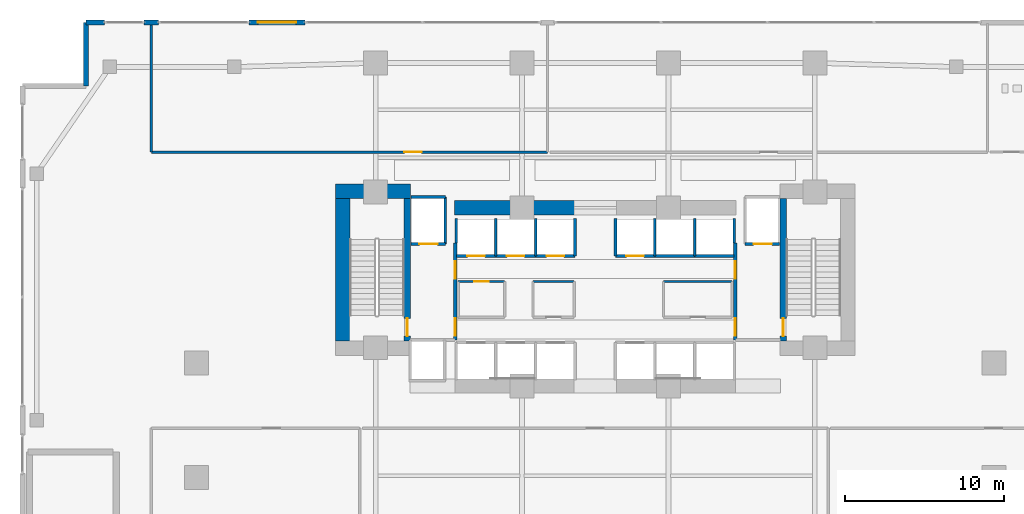
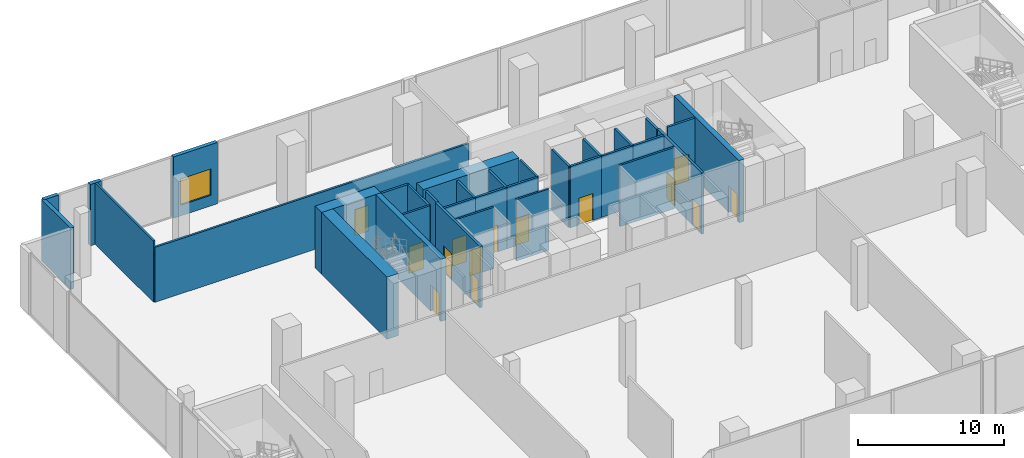
# One storey, part 24 of 30: 34 walls, 14 doors, 1 window, 15 openings.
"""IFC4 building model written with IfcOpenShell, lengths in metres."""

from ifc_helpers import new_model, si_unit, direction, frame, frame_2d, origin, place, context, subcontext, project, spatial, rectangle, extrude, material, layer, layer_set, type_object, element, fill, save


model = new_model("IFC4")

# Units and contexts
model_context = context("Model", 3, precision=1e-05, world=origin(), true_north=direction((0.0, 1.0)))
body_context = subcontext(model_context, "Body", "Model", "MODEL_VIEW")
ifc_project = project(units=[si_unit("LENGTHUNIT", "METRE"), si_unit("AREAUNIT", "SQUARE_METRE"), si_unit("VOLUMEUNIT", "CUBIC_METRE"), si_unit("PLANEANGLEUNIT", "RADIAN"), si_unit("MASSUNIT", "GRAM", prefix="KILO")], contexts=[model_context])

# Site, building, storey
site_placement = place(None, origin())
site = spatial("IfcSite", under=ifc_project, at=site_placement, CompositionType="ELEMENT")
building_placement = place(site_placement, origin())
building = spatial("IfcBuilding", under=site, at=building_placement, Name="Zuhayl Quay Hotel", CompositionType="ELEMENT")
storey_placement = place(building_placement, frame((0.0, 0.0, 6.0)))
storey = spatial("IfcBuildingStorey", under=building, at=storey_placement, Name="L01", CompositionType="ELEMENT", Elevation=6.0)

# Walls
ifc_material_1 = material(Name="Concrete C70/85", Category="concrete")
ifc_layer_1 = layer(ifc_material_1, 0.89990234375, Name="Concrete C70/85", Category="concrete")
ifc_layer_set_1 = layer_set([ifc_layer_1], Name="Concrete C70/85")
wall_type_1 = type_object("IfcWallType", Name="WL_CORE_900", PredefinedType="SHEAR", material=ifc_layer_set_1)
wall_1_placement = place(storey_placement, frame((-16.31005859375, 14.3798828125, 0.0), z_axis=(0.0, 0.0, 1.0), x_axis=(1.0, 0.0, 0.0)))
element("IfcWall", 1, at=wall_1_placement, inside=storey, type_object=wall_type_1, Name="L01 Core Shear Wall CW_NW", PredefinedType="SHEAR", context=body_context, shape_type="SweptSolid", body=[
    extrude(rectangle(XDim=4.7099609375, YDim=0.89990234375, at=frame_2d((2.35498046875, 0.0))), origin(), (0.0, 0.0, 1.0), 5.2099609375),
])
wall_2_placement = place(storey_placement, frame((-15.860107421875, 4.969970703125, 0.0), z_axis=(0.0, 0.0, 1.0), x_axis=(0.0, 1.0, 0.0)))
element("IfcWall", 2, at=wall_2_placement, inside=storey, type_object=wall_type_1, Name="L01 Core Shear Wall CW_W", PredefinedType="SHEAR", context=body_context, shape_type="SweptSolid", body=[
    extrude(rectangle(XDim=8.9599609375, YDim=0.89990234375, at=frame_2d((4.47998046875, 0.0))), origin(), (0.0, 0.0, 1.0), 5.2099609375),
])
wall_3_placement = place(storey_placement, frame((-8.85009765625, 13.35009765625, 0.0), z_axis=(0.0, 0.0, 1.0), x_axis=(1.0, 0.0, 0.0)))
element("IfcWall", 3, at=wall_3_placement, inside=storey, type_object=wall_type_1, Name="L01 Core Shear Wall CW_NC_W", PredefinedType="SHEAR", context=body_context, shape_type="SweptSolid", body=[
    extrude(rectangle(XDim=7.60009765625, YDim=0.89990234375, at=frame_2d((3.800048828125, 0.0))), origin(), (0.0, 0.0, 1.0), 5.139892578125),
])
ifc_material_2 = material(Name="Precast concrete C45/55", Category="concrete")
ifc_layer_2 = layer(ifc_material_2, 0.300048828125, Name="Precast concrete C45/55", Category="concrete")
ifc_layer_set_2 = layer_set([ifc_layer_2], Name="Precast concrete C45/55")
wall_type_2 = type_object("IfcWallType", Name="WL_EXT_300", PredefinedType="STANDARD", material=ifc_layer_set_2)
wall_4_placement = place(storey_placement, frame((-32.0, 21.0, 0.0), z_axis=(0.0, 0.0, 1.0), x_axis=(0.0, 1.0, 0.0)))
element("IfcWall", 4, at=wall_4_placement, inside=storey, type_object=wall_type_2, Name="L01 Exterior Precast Wall ENV_L01_EW04", PredefinedType="STANDARD", context=body_context, shape_type="SweptSolid", body=[
    extrude(rectangle(XDim=4.0, YDim=0.300048828125, at=frame_2d((2.0, 0.0))), origin(), (0.0, 0.0, 1.0), 5.139892578125),
])
wall_5_placement = place(storey_placement, frame((-32.0, 25.0, 0.0), z_axis=(0.0, 0.0, 1.0), x_axis=(1.0, 0.0, 0.0)))
element("IfcWall", 5, at=wall_5_placement, inside=storey, type_object=wall_type_2, Name="L01 Exterior Precast Wall ENV_L01_E05_EW1", PredefinedType="STANDARD", context=body_context, shape_type="SweptSolid", body=[
    extrude(rectangle(XDim=1.14990234375, YDim=0.300048828125, at=frame_2d((0.574951171875, 0.0))), origin(), (0.0, 0.0, 1.0), 5.139892578125),
])
wall_6_placement = place(storey_placement, frame((-28.35009765625, 25.0, 0.0), z_axis=(0.0, 0.0, 1.0), x_axis=(1.0, 0.0, 0.0)))
element("IfcWall", 6, at=wall_6_placement, inside=storey, type_object=wall_type_2, Name="L01 Exterior Precast Wall ENV_L01_E05_EW2", PredefinedType="STANDARD", context=body_context, shape_type="SweptSolid", body=[
    extrude(rectangle(XDim=0.900146484375, YDim=0.300048828125, at=frame_2d((0.4501953125, 0.0))), origin(), (0.0, 0.0, 1.0), 5.139892578125),
])

# Wall, opening, window
wall_7_placement = place(storey_placement, frame((-21.75, 25.0, 0.0), z_axis=(0.0, 0.0, 1.0), x_axis=(1.0, 0.0, 0.0)))
wall_7 = element("IfcWall", 7, at=wall_7_placement, inside=storey, type_object=wall_type_2, Name="L01 Exterior Precast Wall ENV_L01_E05_EW3", PredefinedType="STANDARD", context=body_context, shape_type="SweptSolid", body=[
    extrude(rectangle(XDim=3.5, YDim=0.300048828125, at=frame_2d((1.75, 0.0))), origin(), (0.0, 0.0, 1.0), 5.139892578125),
])
opening_1_placement = place(wall_7_placement, frame((0.550048828125, 0.0, 0.89990234375)))
opening_1 = element("IfcOpeningElement", 8, at=opening_1_placement, cuts=wall_7, Name="Opening W02", PredefinedType="OPENING", context=body_context, shape_type="SweptSolid", body=[
    extrude(rectangle(XDim=2.39990234375, YDim=2.199951171875, at=frame_2d((1.199951171875, 1.10009765625))), frame((0.0, 0.159912109375, 0.0), z_axis=(0.0, -1.0, 0.0), x_axis=(1.0, 0.0, 0.0)), (0.0, 0.0, 1.0), 0.320068359375),
])
ifc_material_3 = material(Name="Low-E Insulated Clear Vision Glass", Category="glass")
window_type = type_object("IfcWindowType", Name="WN_POD_2400", PartitioningType="TRIPLE_PANEL_VERTICAL", PredefinedType="WINDOW", material=ifc_material_3)
window_placement = place(opening_1_placement, origin())
window = element("IfcWindow", 9, at=window_placement, inside=storey, type_object=window_type, Name="L01 Seaward Salon Vision Window", OverallHeight=2.199951171875, OverallWidth=2.39990234375, PartitioningType="SINGLE_PANEL", PredefinedType="WINDOW", context=body_context, shape_type="SweptSolid", body=[
    extrude(rectangle(XDim=2.39990234375, YDim=2.199951171875, at=frame_2d((1.199951171875, 1.10009765625))), frame((0.0, 0.030029296875, 0.0), z_axis=(0.0, -1.0, 0.0), x_axis=(1.0, 0.0, 0.0)), (0.0, 0.0, 1.0), 0.06005859375),
])
fill(opening_1, window)

# Wall, opening, door
ifc_material_4 = material(Name="Acoustic Gypsum Partition STC-58")
ifc_layer_3 = layer(ifc_material_4, 0.14990234375, Name="Acoustic Gypsum Partition STC-58")
ifc_layer_set_3 = layer_set([ifc_layer_3], Name="Acoustic Gypsum Partition STC-58")
wall_type_3 = type_object("IfcWallType", Name="WL_PART_150", PredefinedType="PARTITIONING", material=ifc_layer_set_3)
wall_8_placement = place(storey_placement, frame((-8.610107421875, 8.719970703125, 0.0), z_axis=(0.0, 0.0, 1.0), x_axis=(1.0, 0.0, 0.0)))
wall_8 = element("IfcWall", 10, at=wall_8_placement, inside=storey, type_object=wall_type_3, Name="L01 Partition IW_L01_CORE_HK_N", PredefinedType="PARTITIONING", context=body_context, shape_type="SweptSolid", body=[
    extrude(rectangle(XDim=2.920166015625, YDim=0.14990234375, at=frame_2d((1.4599609375, 0.0))), origin(), (0.0, 0.0, 1.0), 5.139892578125),
])
opening_2_placement = place(wall_8_placement, frame((1.010009765625, 0.0, 0.0)))
opening_2 = element("IfcOpeningElement", 11, at=opening_2_placement, cuts=wall_8, Name="Opening D06", PredefinedType="OPENING", context=body_context, shape_type="SweptSolid", body=[
    extrude(rectangle(XDim=0.89990234375, YDim=2.14990234375, at=frame_2d((0.449951171875, 1.074951171875))), frame((0.0, 0.0849609375, 0.0), z_axis=(0.0, -1.0, 0.0), x_axis=(1.0, 0.0, 0.0)), (0.0, 0.0, 1.0), 0.169921875),
])
ifc_material_5 = material(Name="Steel ASTM A992 Grade 50", Category="steel")
door_type_1 = type_object("IfcDoorType", Name="DR_INT_900", OperationType="NOTDEFINED", PredefinedType="DOOR", material=ifc_material_5)
door_1_placement = place(opening_2_placement, origin())
door_1 = element("IfcDoor", 12, at=door_1_placement, inside=storey, type_object=door_type_1, Name="L01 Core Housekeeping Store Door", OperationType="SINGLE_SWING_RIGHT", OverallHeight=2.14990234375, OverallWidth=0.89990234375, PredefinedType="DOOR", context=body_context, shape_type="SweptSolid", body=[
    extrude(rectangle(XDim=0.89990234375, YDim=2.14990234375, at=frame_2d((0.449951171875, 1.074951171875))), frame((0.0, 0.02490234375, 0.0), z_axis=(0.0, -1.0, 0.0), x_axis=(1.0, 0.0, 0.0)), (0.0, 0.0, 1.0), 0.050048828125),
])
fill(opening_2, door_1)

# Walls
wall_9_placement = place(storey_placement, frame((-3.909912109375, 8.719970703125, 0.0), z_axis=(0.0, 0.0, 1.0), x_axis=(1.0, 0.0, 0.0)))
element("IfcWall", 13, at=wall_9_placement, inside=storey, type_object=wall_type_3, Name="L01 Partition IW_L01_CORE_BC_N", PredefinedType="PARTITIONING", context=body_context, shape_type="SweptSolid", body=[
    extrude(rectangle(XDim=2.58984375, YDim=0.14990234375, at=frame_2d((1.294921875, 0.0))), origin(), (0.0, 0.0, 1.0), 5.139892578125),
])
wall_10_placement = place(storey_placement, frame((4.2900390625, 8.719970703125, 0.0), z_axis=(0.0, 0.0, 1.0), x_axis=(1.0, 0.0, 0.0)))
element("IfcWall", 14, at=wall_10_placement, inside=storey, type_object=wall_type_3, Name="L01 Partition IW_L01_CORE_VL_N", PredefinedType="PARTITIONING", context=body_context, shape_type="SweptSolid", body=[
    extrude(rectangle(XDim=4.320068359375, YDim=0.14990234375, at=frame_2d((2.16015625, 0.0))), origin(), (0.0, 0.0, 1.0), 5.139892578125),
])
wall_11_placement = place(storey_placement, frame((-27.89990234375, 16.85009765625, 0.0), z_axis=(0.0, 0.0, 1.0), x_axis=(0.0, 1.0, 0.0)))
element("IfcWall", 15, at=wall_11_placement, inside=storey, type_object=wall_type_3, Name="L01 Partition IW_L01_SPEC_REST_W", PredefinedType="PARTITIONING", context=body_context, shape_type="SweptSolid", body=[
    extrude(rectangle(XDim=8.08984375, YDim=0.14990234375, at=frame_2d((4.044921875, 0.0))), origin(), (0.0, 0.0, 1.0), 5.139892578125),
])

# Wall, opening, door
ifc_layer_4 = layer(ifc_material_4, 0.159912109375, Name="Acoustic Gypsum Partition STC-58")
ifc_layer_set_4 = layer_set([ifc_layer_4], Name="Acoustic Gypsum Partition STC-58")
wall_type_4 = type_object("IfcWallType", Name="WL_PART_CORR_160", PredefinedType="PARTITIONING", material=ifc_layer_set_4)
wall_12_placement = place(storey_placement, frame((-27.89990234375, 16.85009765625, 0.0), z_axis=(0.0, 0.0, 1.0), x_axis=(1.0, 0.0, 0.0)))
wall_12 = element("IfcWall", 16, at=wall_12_placement, inside=storey, type_object=wall_type_4, Name="L01 Partition IW_L01_SPEC_REST_S", PredefinedType="PARTITIONING", context=body_context, shape_type="SweptSolid", body=[
    extrude(rectangle(XDim=24.89990234375, YDim=0.159912109375, at=frame_2d((12.449951171875, 0.0))), origin(), (0.0, 0.0, 1.0), 4.60693359375),
])
opening_3_placement = place(wall_12_placement, frame((15.909912109375, 0.0, 0.0)))
opening_3 = element("IfcOpeningElement", 17, at=opening_3_placement, cuts=wall_12, Name="Opening D05A", PredefinedType="OPENING", context=body_context, shape_type="SweptSolid", body=[
    extrude(rectangle(XDim=1.080078125, YDim=2.179931640625, at=frame_2d((0.5400390625, 1.08984375))), frame((0.0, 0.08984375, 0.0), z_axis=(0.0, -1.0, 0.0), x_axis=(1.0, 0.0, 0.0)), (0.0, 0.0, 1.0), 0.179931640625),
])
ifc_material_6 = material(Name="Solid Walnut Acoustic Fire Door")
door_type_2 = type_object("IfcDoorType", Name="DR_INT_1100", OperationType="NOTDEFINED", PredefinedType="DOOR", material=ifc_material_6)
door_2_placement = place(opening_3_placement, origin())
door_2 = element("IfcDoor", 18, at=door_2_placement, inside=storey, type_object=door_type_2, Name="L01 Levantine Specialty Restaurant Door", OperationType="SINGLE_SWING_LEFT", OverallHeight=2.179931640625, OverallWidth=1.080078125, PredefinedType="DOOR", context=body_context, shape_type="SweptSolid", body=[
    extrude(rectangle(XDim=1.080078125, YDim=2.179931640625, at=frame_2d((0.5400390625, 1.08984375))), frame((0.0, 0.02490234375, 0.0), z_axis=(0.0, -1.0, 0.0), x_axis=(1.0, 0.0, 0.0)), (0.0, 0.0, 1.0), 0.050048828125),
])
fill(opening_3, door_2)

ifc_material_7 = material(Name="Gypsum Fireboard Assembly EI-90")
ifc_layer_5 = layer(ifc_material_7, 0.1650390625, Name="Gypsum Fireboard Assembly EI-90")
ifc_layer_set_5 = layer_set([ifc_layer_5], Name="Gypsum Fireboard Assembly EI-90")
wall_type_5 = type_object("IfcWallType", Name="WL_PART_SHAFT_160", PredefinedType="PARTITIONING", material=ifc_layer_set_5)
wall_13_placement = place(storey_placement, frame((-11.580078125, 11.070068359375, 0.0), z_axis=(0.0, 0.0, 1.0), x_axis=(1.0, 0.0, 0.0)))
wall_13 = element("IfcWall", 19, at=wall_13_placement, inside=storey, type_object=wall_type_5, Name="L01 Partition IW_L01_SH_FL1_F", PredefinedType="PARTITIONING", context=body_context, shape_type="SweptSolid", body=[
    extrude(rectangle(XDim=2.16015625, YDim=0.1650390625, at=frame_2d((1.080078125, 0.0))), origin(), (0.0, 0.0, 1.0), 5.139892578125),
])
opening_4_placement = place(wall_13_placement, frame((0.530029296875, 0.0, 0.0)))
opening_4 = element("IfcOpeningElement", 20, at=opening_4_placement, cuts=wall_13, Name="Opening LD2", PredefinedType="OPENING", context=body_context, shape_type="SweptSolid", body=[
    extrude(rectangle(XDim=1.14990234375, YDim=2.25, at=frame_2d((0.574951171875, 1.125))), frame((0.0, 0.092529296875, 0.0), z_axis=(0.0, -1.0, 0.0), x_axis=(1.0, 0.0, 0.0)), (0.0, 0.0, 1.0), 0.18505859375),
])
ifc_material_8 = material(Name="Brushed Stainless Steel", Category="steel")
door_type_3 = type_object("IfcDoorType", Name="DR_LIFT_FF_1100", OperationType="SLIDING_TO_LEFT", PredefinedType="DOOR", material=ifc_material_8)
door_3_placement = place(opening_4_placement, origin())
door_3 = element("IfcDoor", 21, at=door_3_placement, inside=storey, type_object=door_type_3, Name="L01 Lift FL1 Sliding Landing Door", OperationType="SLIDING_TO_LEFT", OverallHeight=2.25, OverallWidth=1.14990234375, PredefinedType="DOOR", context=body_context, shape_type="SweptSolid", body=[
    extrude(rectangle(XDim=1.14990234375, YDim=2.25, at=frame_2d((0.574951171875, 1.125))), frame((0.0, 0.02490234375, 0.0), z_axis=(0.0, -1.0, 0.0), x_axis=(1.0, 0.0, 0.0)), (0.0, 0.0, 1.0), 0.050048828125),
])
fill(opening_4, door_3)

wall_14_placement = place(storey_placement, frame((9.419921875, 11.070068359375, 0.0), z_axis=(0.0, 0.0, 1.0), x_axis=(1.0, 0.0, 0.0)))
wall_14 = element("IfcWall", 22, at=wall_14_placement, inside=storey, type_object=wall_type_5, Name="L01 Partition IW_L01_SH_FL2_F", PredefinedType="PARTITIONING", context=body_context, shape_type="SweptSolid", body=[
    extrude(rectangle(XDim=2.16015625, YDim=0.1650390625, at=frame_2d((1.080078125, 0.0))), origin(), (0.0, 0.0, 1.0), 5.139892578125),
])
opening_5_placement = place(wall_14_placement, frame((0.530029296875, 0.0, 0.0)))
opening_5 = element("IfcOpeningElement", 23, at=opening_5_placement, cuts=wall_14, Name="Opening LD2", PredefinedType="OPENING", context=body_context, shape_type="SweptSolid", body=[
    extrude(rectangle(XDim=1.14990234375, YDim=2.25, at=frame_2d((0.574951171875, 1.125))), frame((0.0, 0.092529296875, 0.0), z_axis=(0.0, -1.0, 0.0), x_axis=(1.0, 0.0, 0.0)), (0.0, 0.0, 1.0), 0.18505859375),
])
door_4_placement = place(opening_5_placement, origin())
door_4 = element("IfcDoor", 24, at=door_4_placement, inside=storey, type_object=door_type_3, Name="L01 Lift FL2 Sliding Landing Door", OperationType="SLIDING_TO_LEFT", OverallHeight=2.25, OverallWidth=1.14990234375, PredefinedType="DOOR", context=body_context, shape_type="SweptSolid", body=[
    extrude(rectangle(XDim=1.14990234375, YDim=2.25, at=frame_2d((0.574951171875, 1.125))), frame((0.0, 0.02490234375, 0.0), z_axis=(0.0, -1.0, 0.0), x_axis=(1.0, 0.0, 0.0)), (0.0, 0.0, 1.0), 0.050048828125),
])
fill(opening_5, door_4)

wall_15_placement = place(storey_placement, frame((-8.72998046875, 10.320068359375, 0.0), z_axis=(0.0, 0.0, 1.0), x_axis=(1.0, 0.0, 0.0)))
wall_15 = element("IfcWall", 25, at=wall_15_placement, inside=storey, type_object=wall_type_5, Name="L01 Partition IW_L01_SH_LP3_F", PredefinedType="PARTITIONING", context=body_context, shape_type="SweptSolid", body=[
    extrude(rectangle(XDim=2.47998046875, YDim=0.1650390625, at=frame_2d((1.239990234375, 0.0))), origin(), (0.0, 0.0, 1.0), 5.139892578125),
])
opening_6_placement = place(wall_15_placement, frame((0.68994140625, 0.0, 0.0)))
opening_6 = element("IfcOpeningElement", 26, at=opening_6_placement, cuts=wall_15, Name="Opening LD1", PredefinedType="OPENING", context=body_context, shape_type="SweptSolid", body=[
    extrude(rectangle(XDim=1.10009765625, YDim=2.25, at=frame_2d((0.550048828125, 1.125))), frame((0.0, 0.092529296875, 0.0), z_axis=(0.0, -1.0, 0.0), x_axis=(1.0, 0.0, 0.0)), (0.0, 0.0, 1.0), 0.18505859375),
])
door_type_4 = type_object("IfcDoorType", Name="DR_LIFT_PASS_1100", OperationType="SLIDING_TO_LEFT", PredefinedType="DOOR", material=ifc_material_8)
door_5_placement = place(opening_6_placement, origin())
door_5 = element("IfcDoor", 27, at=door_5_placement, inside=storey, type_object=door_type_4, Name="L01 Lift LP3 Sliding Landing Door", OperationType="SLIDING_TO_LEFT", OverallHeight=2.25, OverallWidth=1.10009765625, PredefinedType="DOOR", context=body_context, shape_type="SweptSolid", body=[
    extrude(rectangle(XDim=1.10009765625, YDim=2.25, at=frame_2d((0.550048828125, 1.125))), frame((0.0, 0.02490234375, 0.0), z_axis=(0.0, -1.0, 0.0), x_axis=(1.0, 0.0, 0.0)), (0.0, 0.0, 1.0), 0.050048828125),
])
fill(opening_6, door_5)

wall_16_placement = place(storey_placement, frame((-6.25, 10.320068359375, 0.0), z_axis=(0.0, 0.0, 1.0), x_axis=(1.0, 0.0, 0.0)))
wall_16 = element("IfcWall", 28, at=wall_16_placement, inside=storey, type_object=wall_type_5, Name="L01 Partition IW_L01_SH_LP4_F", PredefinedType="PARTITIONING", context=body_context, shape_type="SweptSolid", body=[
    extrude(rectangle(XDim=2.5, YDim=0.1650390625, at=frame_2d((1.25, 0.0))), origin(), (0.0, 0.0, 1.0), 5.139892578125),
])
opening_7_placement = place(wall_16_placement, frame((0.699951171875, 0.0, 0.0)))
opening_7 = element("IfcOpeningElement", 29, at=opening_7_placement, cuts=wall_16, Name="Opening LD1", PredefinedType="OPENING", context=body_context, shape_type="SweptSolid", body=[
    extrude(rectangle(XDim=1.10009765625, YDim=2.25, at=frame_2d((0.550048828125, 1.125))), frame((0.0, 0.092529296875, 0.0), z_axis=(0.0, -1.0, 0.0), x_axis=(1.0, 0.0, 0.0)), (0.0, 0.0, 1.0), 0.18505859375),
])
door_6_placement = place(opening_7_placement, origin())
door_6 = element("IfcDoor", 30, at=door_6_placement, inside=storey, type_object=door_type_4, Name="L01 Lift LP4 Sliding Landing Door", OperationType="SLIDING_TO_LEFT", OverallHeight=2.25, OverallWidth=1.10009765625, PredefinedType="DOOR", context=body_context, shape_type="SweptSolid", body=[
    extrude(rectangle(XDim=1.10009765625, YDim=2.25, at=frame_2d((0.550048828125, 1.125))), frame((0.0, 0.02490234375, 0.0), z_axis=(0.0, -1.0, 0.0), x_axis=(1.0, 0.0, 0.0)), (0.0, 0.0, 1.0), 0.050048828125),
])
fill(opening_7, door_6)

wall_17_placement = place(storey_placement, frame((-3.75, 10.320068359375, 0.0), z_axis=(0.0, 0.0, 1.0), x_axis=(1.0, 0.0, 0.0)))
wall_17 = element("IfcWall", 31, at=wall_17_placement, inside=storey, type_object=wall_type_5, Name="L01 Partition IW_L01_SH_MP3_F", PredefinedType="PARTITIONING", context=body_context, shape_type="SweptSolid", body=[
    extrude(rectangle(XDim=2.47998046875, YDim=0.1650390625, at=frame_2d((1.239990234375, 0.0))), origin(), (0.0, 0.0, 1.0), 5.139892578125),
])
opening_8_placement = place(wall_17_placement, frame((0.68994140625, 0.0, 0.0)))
opening_8 = element("IfcOpeningElement", 32, at=opening_8_placement, cuts=wall_17, Name="Opening LD1", PredefinedType="OPENING", context=body_context, shape_type="SweptSolid", body=[
    extrude(rectangle(XDim=1.10009765625, YDim=2.25, at=frame_2d((0.550048828125, 1.125))), frame((0.0, 0.092529296875, 0.0), z_axis=(0.0, -1.0, 0.0), x_axis=(1.0, 0.0, 0.0)), (0.0, 0.0, 1.0), 0.18505859375),
])
door_7_placement = place(opening_8_placement, origin())
door_7 = element("IfcDoor", 33, at=door_7_placement, inside=storey, type_object=door_type_4, Name="L01 Lift MP3 Sliding Landing Door", OperationType="SLIDING_TO_LEFT", OverallHeight=2.25, OverallWidth=1.10009765625, PredefinedType="DOOR", context=body_context, shape_type="SweptSolid", body=[
    extrude(rectangle(XDim=1.10009765625, YDim=2.25, at=frame_2d((0.550048828125, 1.125))), frame((0.0, 0.02490234375, 0.0), z_axis=(0.0, -1.0, 0.0), x_axis=(1.0, 0.0, 0.0)), (0.0, 0.0, 1.0), 0.050048828125),
])
fill(opening_8, door_7)

wall_18_placement = place(storey_placement, frame((1.27001953125, 10.320068359375, 0.0), z_axis=(0.0, 0.0, 1.0), x_axis=(1.0, 0.0, 0.0)))
wall_18 = element("IfcWall", 34, at=wall_18_placement, inside=storey, type_object=wall_type_5, Name="L01 Partition IW_L01_SH_MP4_F", PredefinedType="PARTITIONING", context=body_context, shape_type="SweptSolid", body=[
    extrude(rectangle(XDim=2.47998046875, YDim=0.1650390625, at=frame_2d((1.239990234375, 0.0))), origin(), (0.0, 0.0, 1.0), 5.139892578125),
])
opening_9_placement = place(wall_18_placement, frame((0.68994140625, 0.0, 0.0)))
opening_9 = element("IfcOpeningElement", 35, at=opening_9_placement, cuts=wall_18, Name="Opening LD1", PredefinedType="OPENING", context=body_context, shape_type="SweptSolid", body=[
    extrude(rectangle(XDim=1.10009765625, YDim=2.25, at=frame_2d((0.550048828125, 1.125))), frame((0.0, 0.092529296875, 0.0), z_axis=(0.0, -1.0, 0.0), x_axis=(1.0, 0.0, 0.0)), (0.0, 0.0, 1.0), 0.18505859375),
])
door_8_placement = place(opening_9_placement, origin())
door_8 = element("IfcDoor", 36, at=door_8_placement, inside=storey, type_object=door_type_4, Name="L01 Lift MP4 Sliding Landing Door", OperationType="SLIDING_TO_LEFT", OverallHeight=2.25, OverallWidth=1.10009765625, PredefinedType="DOOR", context=body_context, shape_type="SweptSolid", body=[
    extrude(rectangle(XDim=1.10009765625, YDim=2.25, at=frame_2d((0.550048828125, 1.125))), frame((0.0, 0.02490234375, 0.0), z_axis=(0.0, -1.0, 0.0), x_axis=(1.0, 0.0, 0.0)), (0.0, 0.0, 1.0), 0.050048828125),
])
fill(opening_9, door_8)

# Walls
wall_19_placement = place(storey_placement, frame((-9.419921875, 11.070068359375, 0.0), z_axis=(0.0, 0.0, 1.0), x_axis=(0.0, 1.0, 0.0)))
element("IfcWall", 37, at=wall_19_placement, inside=storey, type_object=wall_type_5, Name="L01 Partition IW_L01_SH_FL1_E", PredefinedType="PARTITIONING", context=body_context, shape_type="SweptSolid", body=[
    extrude(rectangle(XDim=2.9599609375, YDim=0.1650390625, at=frame_2d((1.47998046875, 0.0))), origin(), (0.0, 0.0, 1.0), 5.139892578125),
])
wall_20_placement = place(storey_placement, frame((-11.580078125, 14.030029296875, 0.0), z_axis=(0.0, 0.0, 1.0), x_axis=(1.0, 0.0, 0.0)))
element("IfcWall", 38, at=wall_20_placement, inside=storey, type_object=wall_type_5, Name="L01 Partition IW_L01_SH_FL1_B", PredefinedType="PARTITIONING", context=body_context, shape_type="SweptSolid", body=[
    extrude(rectangle(XDim=2.16015625, YDim=0.1650390625, at=frame_2d((1.080078125, 0.0))), origin(), (0.0, 0.0, 1.0), 5.139892578125),
])
wall_21_placement = place(storey_placement, frame((-8.72998046875, 11.14990234375, 0.0), z_axis=(0.0, 0.0, 1.0), x_axis=(0.0, 1.0, 0.0)))
element("IfcWall", 39, at=wall_21_placement, inside=storey, type_object=wall_type_5, Name="L01 Partition IW_L01_SH_LP3_W", PredefinedType="PARTITIONING", context=body_context, shape_type="SweptSolid", body=[
    extrude(rectangle(XDim=1.530029296875, YDim=0.1650390625, at=frame_2d((0.76513671875, 0.0))), origin(), (0.0, 0.0, 1.0), 5.139892578125),
])
for number, where, z_axis, x_axis, name in (
    (40, (-6.25, 10.320068359375, 0.0), (0.0, 0.0, 1.0), (0.0, 1.0, 0.0), "L01 Partition IW_L01_SH_LP3_E"),
    (41, (-3.75, 10.320068359375, 0.0), (0.0, 0.0, 1.0), (0.0, 1.0, 0.0), "L01 Partition IW_L01_SH_LP4_E"),
    (42, (-1.27001953125, 10.320068359375, 0.0), (0.0, 0.0, 1.0), (0.0, 1.0, 0.0), "L01 Partition IW_L01_SH_MP3_E"),
    (43, (1.27001953125, 10.320068359375, 0.0), (0.0, 0.0, 1.0), (0.0, 1.0, 0.0), "L01 Partition IW_L01_SH_MP4_W"),
    (44, (3.75, 10.320068359375, 0.0), (0.0, 0.0, 1.0), (0.0, 1.0, 0.0), "L01 Partition IW_L01_SH_MP4_E"),
):
    element("IfcWall", number, at=place(storey_placement, frame(where, z_axis=z_axis, x_axis=x_axis)), inside=storey, type_object=wall_type_5, Name=name, PredefinedType="PARTITIONING", context=body_context, shape_type="SweptSolid", body=[
        extrude(rectangle(XDim=2.35986328125, YDim=0.1650390625, at=frame_2d((1.179931640625, 0.0))), origin(), (0.0, 0.0, 1.0), 5.139892578125),
    ])
wall_22_placement = place(storey_placement, frame((3.75, 10.320068359375, 0.0), z_axis=(0.0, 0.0, 1.0), x_axis=(1.0, 0.0, 0.0)))
element("IfcWall", 45, at=wall_22_placement, inside=storey, type_object=wall_type_5, Name="L01 Partition IW_L01_SH_HP3_F", PredefinedType="PARTITIONING", context=body_context, shape_type="SweptSolid", body=[
    extrude(rectangle(XDim=2.5, YDim=0.1650390625, at=frame_2d((1.25, 0.0))), origin(), (0.0, 0.0, 1.0), 5.139892578125),
])
wall_23_placement = place(storey_placement, frame((6.25, 10.320068359375, 0.0), z_axis=(0.0, 0.0, 1.0), x_axis=(0.0, 1.0, 0.0)))
element("IfcWall", 46, at=wall_23_placement, inside=storey, type_object=wall_type_5, Name="L01 Partition IW_L01_SH_HP3_E", PredefinedType="PARTITIONING", context=body_context, shape_type="SweptSolid", body=[
    extrude(rectangle(XDim=2.35986328125, YDim=0.1650390625, at=frame_2d((1.179931640625, 0.0))), origin(), (0.0, 0.0, 1.0), 5.139892578125),
])
wall_24_placement = place(storey_placement, frame((6.25, 10.320068359375, 0.0), z_axis=(0.0, 0.0, 1.0), x_axis=(1.0, 0.0, 0.0)))
element("IfcWall", 47, at=wall_24_placement, inside=storey, type_object=wall_type_5, Name="L01 Partition IW_L01_SH_HP4_F", PredefinedType="PARTITIONING", context=body_context, shape_type="SweptSolid", body=[
    extrude(rectangle(XDim=2.47998046875, YDim=0.1650390625, at=frame_2d((1.239990234375, 0.0))), origin(), (0.0, 0.0, 1.0), 5.139892578125),
])
wall_25_placement = place(storey_placement, frame((8.72998046875, 11.14990234375, 0.0), z_axis=(0.0, 0.0, 1.0), x_axis=(0.0, 1.0, 0.0)))
element("IfcWall", 48, at=wall_25_placement, inside=storey, type_object=wall_type_5, Name="L01 Partition IW_L01_SH_HP4_E", PredefinedType="PARTITIONING", context=body_context, shape_type="SweptSolid", body=[
    extrude(rectangle(XDim=1.530029296875, YDim=0.1650390625, at=frame_2d((0.76513671875, 0.0))), origin(), (0.0, 0.0, 1.0), 5.139892578125),
])

# Wall, openings, doors
ifc_material_9 = material(Name="Gypsum Fireboard Assembly EI-120")
ifc_layer_6 = layer(ifc_material_9, 0.199951171875, Name="Gypsum Fireboard Assembly EI-120")
ifc_layer_set_6 = layer_set([ifc_layer_6], Name="Gypsum Fireboard Assembly EI-120")
wall_type_6 = type_object("IfcWallType", Name="WL_PART_SHAFT_200", PredefinedType="PARTITIONING", material=ifc_layer_set_6)
wall_26_placement = place(storey_placement, frame((-8.800048828125, 5.050048828125, 0.0), z_axis=(0.0, 0.0, 1.0), x_axis=(0.0, 1.0, 0.0)))
wall_26 = element("IfcWall", 49, at=wall_26_placement, inside=storey, type_object=wall_type_6, Name="L01 Partition IW_L01_FSAE_W_E", PredefinedType="PARTITIONING", context=body_context, shape_type="SweptSolid", body=[
    extrude(rectangle(XDim=6.099853515625, YDim=0.199951171875, at=frame_2d((3.0498046875, 0.0))), origin(), (0.0, 0.0, 1.0), 5.139892578125),
])
opening_10_placement = place(wall_26_placement, frame((0.25, 0.0, 0.0)))
opening_10 = element("IfcOpeningElement", 50, at=opening_10_placement, cuts=wall_26, Name="Opening D02", PredefinedType="OPENING", context=body_context, shape_type="SweptSolid", body=[
    extrude(rectangle(XDim=1.10009765625, YDim=2.199951171875, at=frame_2d((0.550048828125, 1.10009765625))), frame((0.0, 0.10986328125, 0.0), z_axis=(0.0, -1.0, 0.0), x_axis=(1.0, 0.0, 0.0)), (0.0, 0.0, 1.0), 0.219970703125),
])
opening_11_placement = place(wall_26_placement, frame((3.85009765625, 0.0, 0.0)))
opening_11 = element("IfcOpeningElement", 51, at=opening_11_placement, cuts=wall_26, Name="Opening D02", PredefinedType="OPENING", context=body_context, shape_type="SweptSolid", body=[
    extrude(rectangle(XDim=1.10009765625, YDim=2.199951171875, at=frame_2d((0.550048828125, 1.10009765625))), frame((0.0, 0.10986328125, 0.0), z_axis=(0.0, -1.0, 0.0), x_axis=(1.0, 0.0, 0.0)), (0.0, 0.0, 1.0), 0.219970703125),
])
door_type_5 = type_object("IfcDoorType", Name="DR_FIRE_90_1100", OperationType="NOTDEFINED", PredefinedType="DOOR", material=ifc_material_5)
door_9_placement = place(opening_10_placement, origin())
door_9 = element("IfcDoor", 52, at=door_9_placement, inside=storey, type_object=door_type_5, Name="L01 FSAE Lobby West South Entry Door", OperationType="SINGLE_SWING_RIGHT", OverallHeight=2.199951171875, OverallWidth=1.10009765625, PredefinedType="DOOR", context=body_context, shape_type="SweptSolid", body=[
    extrude(rectangle(XDim=1.10009765625, YDim=2.199951171875, at=frame_2d((0.550048828125, 1.10009765625))), frame((0.0, 0.02490234375, 0.0), z_axis=(0.0, -1.0, 0.0), x_axis=(1.0, 0.0, 0.0)), (0.0, 0.0, 1.0), 0.050048828125),
])
fill(opening_10, door_9)
door_10_placement = place(opening_11_placement, origin())
door_10 = element("IfcDoor", 53, at=door_10_placement, inside=storey, type_object=door_type_5, Name="L01 FSAE Lobby West North Entry Door", OperationType="SINGLE_SWING_LEFT", OverallHeight=2.199951171875, OverallWidth=1.10009765625, PredefinedType="DOOR", context=body_context, shape_type="SweptSolid", body=[
    extrude(rectangle(XDim=1.10009765625, YDim=2.199951171875, at=frame_2d((0.550048828125, 1.10009765625))), frame((0.0, 0.02490234375, 0.0), z_axis=(0.0, -1.0, 0.0), x_axis=(1.0, 0.0, 0.0)), (0.0, 0.0, 1.0), 0.050048828125),
])
fill(opening_11, door_10)

wall_27_placement = place(storey_placement, frame((8.800048828125, 11.14990234375, 0.0), z_axis=(0.0, 0.0, 1.0), x_axis=(0.0, -1.0, 0.0)))
wall_27 = element("IfcWall", 54, at=wall_27_placement, inside=storey, type_object=wall_type_6, Name="L01 Partition IW_L01_FSAE_E_W", PredefinedType="PARTITIONING", context=body_context, shape_type="SweptSolid", body=[
    extrude(rectangle(XDim=6.099853515625, YDim=0.199951171875, at=frame_2d((3.0498046875, 0.0))), origin(), (0.0, 0.0, 1.0), 5.139892578125),
])
opening_12_placement = place(wall_27_placement, frame((1.14990234375, 0.0, 0.0)))
opening_12 = element("IfcOpeningElement", 55, at=opening_12_placement, cuts=wall_27, Name="Opening D02", PredefinedType="OPENING", context=body_context, shape_type="SweptSolid", body=[
    extrude(rectangle(XDim=1.10009765625, YDim=2.199951171875, at=frame_2d((0.550048828125, 1.10009765625))), frame((0.0, 0.10986328125, 0.0), z_axis=(0.0, -1.0, 0.0), x_axis=(1.0, 0.0, 0.0)), (0.0, 0.0, 1.0), 0.219970703125),
])
opening_13_placement = place(wall_27_placement, frame((4.75, 0.0, 0.0)))
opening_13 = element("IfcOpeningElement", 56, at=opening_13_placement, cuts=wall_27, Name="Opening D02", PredefinedType="OPENING", context=body_context, shape_type="SweptSolid", body=[
    extrude(rectangle(XDim=1.10009765625, YDim=2.199951171875, at=frame_2d((0.550048828125, 1.10009765625))), frame((0.0, 0.10986328125, 0.0), z_axis=(0.0, -1.0, 0.0), x_axis=(1.0, 0.0, 0.0)), (0.0, 0.0, 1.0), 0.219970703125),
])
door_11_placement = place(opening_12_placement, origin())
door_11 = element("IfcDoor", 57, at=door_11_placement, inside=storey, type_object=door_type_5, Name="L01 FSAE Lobby East North Entry Door", OperationType="SINGLE_SWING_RIGHT", OverallHeight=2.199951171875, OverallWidth=1.10009765625, PredefinedType="DOOR", context=body_context, shape_type="SweptSolid", body=[
    extrude(rectangle(XDim=1.10009765625, YDim=2.199951171875, at=frame_2d((0.550048828125, 1.10009765625))), frame((0.0, 0.02490234375, 0.0), z_axis=(0.0, -1.0, 0.0), x_axis=(1.0, 0.0, 0.0)), (0.0, 0.0, 1.0), 0.050048828125),
])
fill(opening_12, door_11)
door_12_placement = place(opening_13_placement, origin())
door_12 = element("IfcDoor", 58, at=door_12_placement, inside=storey, type_object=door_type_5, Name="L01 FSAE Lobby East South Entry Door", OperationType="SINGLE_SWING_LEFT", OverallHeight=2.199951171875, OverallWidth=1.10009765625, PredefinedType="DOOR", context=body_context, shape_type="SweptSolid", body=[
    extrude(rectangle(XDim=1.10009765625, YDim=2.199951171875, at=frame_2d((0.550048828125, 1.10009765625))), frame((0.0, 0.02490234375, 0.0), z_axis=(0.0, -1.0, 0.0), x_axis=(1.0, 0.0, 0.0)), (0.0, 0.0, 1.0), 0.050048828125),
])
fill(opening_13, door_12)

# Wall, opening, door
ifc_material_10 = material(Name="Concrete C60/75", Category="concrete")
ifc_layer_7 = layer(ifc_material_10, 0.39990234375, Name="Concrete C60/75", Category="concrete")
ifc_layer_set_7 = layer_set([ifc_layer_7], Name="Concrete C60/75")
wall_type_7 = type_object("IfcWallType", Name="WL_STAIR_400", PredefinedType="SHEAR", material=ifc_layer_set_7)
wall_28_placement = place(storey_placement, frame((-11.820068359375, 4.969970703125, 0.0), z_axis=(0.0, 0.0, 1.0), x_axis=(0.0, 1.0, 0.0)))
wall_28 = element("IfcWall", 59, at=wall_28_placement, inside=storey, type_object=wall_type_7, Name="L01 Core Shear Wall SW_ST1", PredefinedType="SHEAR", context=body_context, shape_type="SweptSolid", body=[
    extrude(rectangle(XDim=8.9599609375, YDim=0.39990234375, at=frame_2d((4.47998046875, 0.0))), origin(), (0.0, 0.0, 1.0), 5.2099609375),
])
opening_14_placement = place(wall_28_placement, frame((0.31005859375, 0.0, 0.0)))
opening_14 = element("IfcOpeningElement", 60, at=opening_14_placement, cuts=wall_28, Name="Opening D01", PredefinedType="OPENING", context=body_context, shape_type="SweptSolid", body=[
    extrude(rectangle(XDim=1.1201171875, YDim=2.219970703125, at=frame_2d((0.56005859375, 1.10986328125))), frame((0.0, 0.2099609375, 0.0), z_axis=(0.0, -1.0, 0.0), x_axis=(1.0, 0.0, 0.0)), (0.0, 0.0, 1.0), 0.419921875),
])
door_type_6 = type_object("IfcDoorType", Name="DR_STAIR_90_1100", OperationType="NOTDEFINED", PredefinedType="DOOR", material=ifc_material_5)
door_13_placement = place(opening_14_placement, origin())
door_13 = element("IfcDoor", 61, at=door_13_placement, inside=storey, type_object=door_type_6, Name="L01 Smokeproof Exit Stair ST1 Door", OperationType="SINGLE_SWING_LEFT", OverallHeight=2.219970703125, OverallWidth=1.1201171875, PredefinedType="DOOR", context=body_context, shape_type="SweptSolid", body=[
    extrude(rectangle(XDim=1.1201171875, YDim=2.219970703125, at=frame_2d((0.56005859375, 1.10986328125))), frame((0.0, 0.02490234375, 0.0), z_axis=(0.0, -1.0, 0.0), x_axis=(1.0, 0.0, 0.0)), (0.0, 0.0, 1.0), 0.050048828125),
])
fill(opening_14, door_13)

wall_29_placement = place(storey_placement, frame((11.820068359375, 13.929931640625, 0.0), z_axis=(0.0, 0.0, 1.0), x_axis=(0.0, -1.0, 0.0)))
wall_29 = element("IfcWall", 62, at=wall_29_placement, inside=storey, type_object=wall_type_7, Name="L01 Core Shear Wall SW_ST2", PredefinedType="SHEAR", context=body_context, shape_type="SweptSolid", body=[
    extrude(rectangle(XDim=8.9599609375, YDim=0.39990234375, at=frame_2d((4.47998046875, 0.0))), origin(), (0.0, 0.0, 1.0), 5.2099609375),
])
opening_15_placement = place(wall_29_placement, frame((7.530029296875, 0.0, 0.0)))
opening_15 = element("IfcOpeningElement", 63, at=opening_15_placement, cuts=wall_29, Name="Opening D01", PredefinedType="OPENING", context=body_context, shape_type="SweptSolid", body=[
    extrude(rectangle(XDim=1.1201171875, YDim=2.219970703125, at=frame_2d((0.56005859375, 1.10986328125))), frame((0.0, 0.2099609375, 0.0), z_axis=(0.0, -1.0, 0.0), x_axis=(1.0, 0.0, 0.0)), (0.0, 0.0, 1.0), 0.419921875),
])
door_14_placement = place(opening_15_placement, origin())
door_14 = element("IfcDoor", 64, at=door_14_placement, inside=storey, type_object=door_type_6, Name="L01 Smokeproof Exit Stair ST2 Door", OperationType="SINGLE_SWING_RIGHT", OverallHeight=2.219970703125, OverallWidth=1.1201171875, PredefinedType="DOOR", context=body_context, shape_type="SweptSolid", body=[
    extrude(rectangle(XDim=1.1201171875, YDim=2.219970703125, at=frame_2d((0.56005859375, 1.10986328125))), frame((0.0, 0.02490234375, 0.0), z_axis=(0.0, -1.0, 0.0), x_axis=(1.0, 0.0, 0.0)), (0.0, 0.0, 1.0), 0.050048828125),
])
fill(opening_15, door_14)

save(model, "model.ifc")
